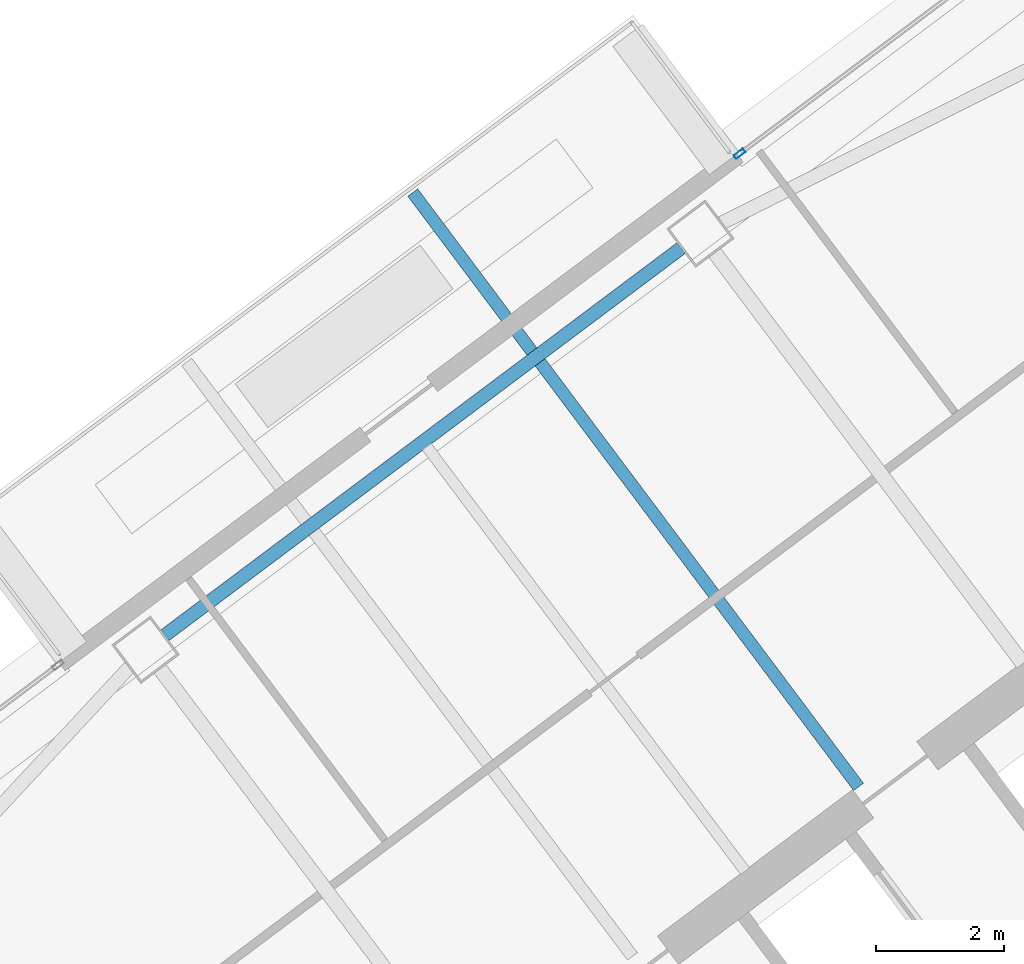
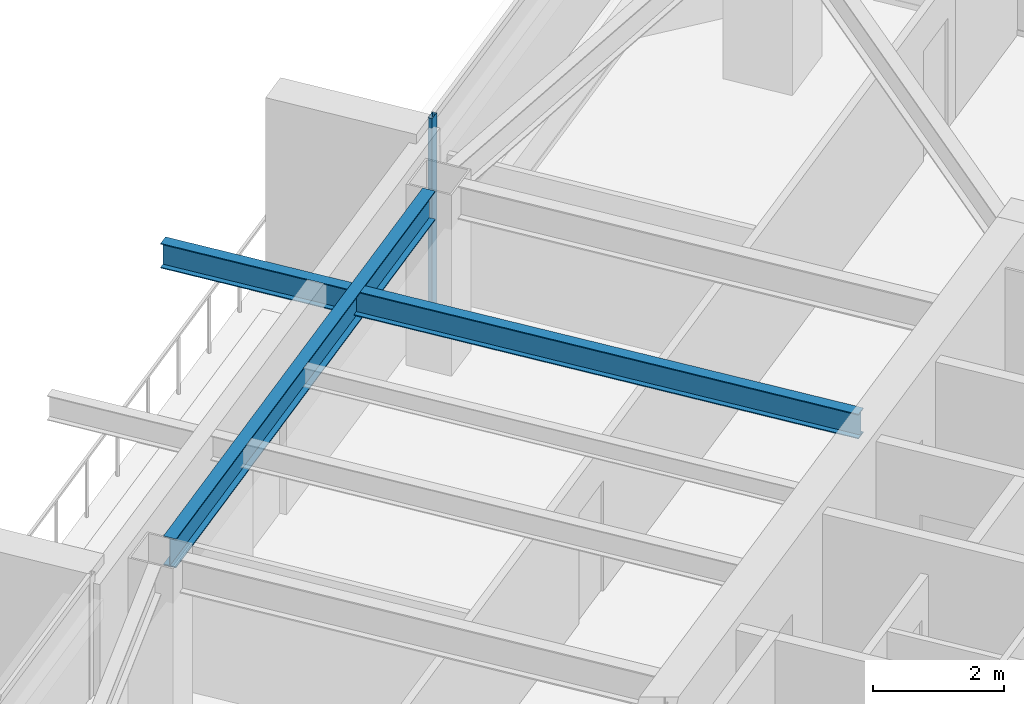
# One storey, part 27 of 43: 2 beams, 1 member, 1 element without a shape of its own.
"""IFC4 building model written with IfcOpenShell, lengths in metres."""

from ifc_helpers import new_model, si_unit, direction, frame, origin, origin_2d, place, context, subcontext, project, spatial, hollow_rectangle, i_section, extrude, material, material_profile, profile_set, type_object, element, aggregate, save


model = new_model("IFC4")

# Units and contexts
model_context = context("Model", 3, precision=1e-05, world=origin(), true_north=direction((0.0, 1.0)))
body_context = subcontext(model_context, "Body", "Model", "MODEL_VIEW")
ifc_project = project(units=[si_unit("LENGTHUNIT", "METRE"), si_unit("AREAUNIT", "SQUARE_METRE"), si_unit("VOLUMEUNIT", "CUBIC_METRE"), si_unit("PLANEANGLEUNIT", "RADIAN"), si_unit("MASSUNIT", "GRAM", prefix="KILO")], contexts=[model_context])

# Site, building, storey
site_placement = place(None, origin())
site = spatial("IfcSite", under=ifc_project, at=site_placement, CompositionType="ELEMENT")
building_placement = place(site_placement, origin())
building = spatial("IfcBuilding", under=site, at=building_placement, Name="Tashvorn Skyway Center", CompositionType="ELEMENT")
storey_placement = place(building_placement, frame((0.0, 0.0, 188.949951171875)))
storey = spatial("IfcBuildingStorey", under=building, at=storey_placement, Name="L51", CompositionType="ELEMENT", Elevation=188.949951171875)

# Beams
ifc_material_1 = material(Name="Steel ASTM A992 Grade 50", Category="steel")
ifc_material_profile_1 = material_profile(ifc_material_1, i_section(OverallWidth=0.19091796875, OverallDepth=0.4599609375, WebThickness=0.010009765625, FlangeThickness=0.01611328125, at=origin_2d()), Name="W18X55")
ifc_profile_set_1 = profile_set([ifc_material_profile_1], Name="Steel ASTM A992 Grade 50")
beam_type_1 = type_object("IfcBeamType", Name="BM-JOIST-W18X55", PredefinedType="JOIST", material=ifc_profile_set_1)
beam_1_placement = place(storey_placement, frame((111.092041015625, 39.5439453125, 3.14013671875), z_axis=(-0.600003376135, 0.799997467888, 0.0), x_axis=(-0.799997467888, -0.600003376135, 0.0)))
element("IfcBeam", 1, at=beam_1_placement, inside=storey, type_object=beam_type_1, Name="Tower 2 L52 Terrace Cantilever Outlooker 2", PredefinedType="JOIST", context=body_context, shape_type="SweptSolid", body=[
    extrude(i_section(OverallWidth=0.19091796875, OverallDepth=0.4599609375, WebThickness=0.010009765625, FlangeThickness=0.01611328125, at=origin_2d()), origin(), (0.0, 0.0, 1.0), 11.570068359375),
])
ifc_material_profile_2 = material_profile(ifc_material_1, i_section(OverallWidth=0.2109375, OverallDepth=0.5390625, WebThickness=0.01171875, FlangeThickness=0.018798828125, at=origin_2d()), Name="W21X73")
ifc_profile_set_2 = profile_set([ifc_material_profile_2], Name="Steel ASTM A992 Grade 50")
beam_type_2 = type_object("IfcBeamType", Name="BM-SPANDREL-W21X73", PredefinedType="SPANDREL", material=ifc_profile_set_2)
beam_2_placement = place(storey_placement, frame((108.333984375, 47.93798828125, 3.1005859375), z_axis=(-0.800008736549, -0.599988351091, 0.0), x_axis=(0.599988351091, -0.800008736549, 0.0)))
element("IfcBeam", 2, at=beam_2_placement, inside=storey, type_object=beam_type_2, Name="Tower 2 L51 Spandrel Beam 08", PredefinedType="SPANDREL", context=body_context, shape_type="SweptSolid", body=[
    extrude(i_section(OverallWidth=0.2109375, OverallDepth=0.5390625, WebThickness=0.01171875, FlangeThickness=0.018798828125, at=origin_2d()), origin(), (0.0, 0.0, 1.0), 10.06005859375),
])

# Curtain wall, member
ifc_material_2 = material(Name="Thermally broken bronze-anodized aluminium 6063-T6", Category="aluminium")
curtain_wall_type = type_object("IfcCurtainWallType", Name="CW-CW-Z4", PredefinedType="NOTDEFINED", material=ifc_material_2)
curtain_wall_placement = place(storey_placement, origin())
curtain_wall = element("IfcCurtainWall", 3, at=curtain_wall_placement, inside=storey, type_object=curtain_wall_type, Name="Tower 2 L51 North Curtain Wall R", PredefinedType="NOTDEFINED")
ifc_material_profile_3 = material_profile(ifc_material_2, hollow_rectangle(XDim=0.070068359375, YDim=0.179931640625, WallThickness=0.00390625, at=origin_2d()), Name="ALU-MULL-70x180")
ifc_profile_set_3 = profile_set([ifc_material_profile_3], Name="Thermally broken bronze-anodized aluminium 6063-T6")
member_type = type_object("IfcMemberType", Name="CWM-CW-Z4", PredefinedType="MULLION", material=ifc_profile_set_3)
member_placement = place(storey_placement, frame((109.239990234375, 49.405029296875, 0.0), z_axis=(0.0, 0.0, 1.0), x_axis=(-0.600000000002, 0.799999999998, 0.0)))
member = element("IfcMember", 4, at=member_placement, type_object=member_type, Name="CW-Z4 mullion 1", PredefinedType="MULLION", context=body_context, shape_type="SweptSolid", body=[
    extrude(hollow_rectangle(XDim=0.070068359375, YDim=0.179931640625, WallThickness=0.00390625, at=origin_2d()), origin(), (0.0, 0.0, 1.0), 3.550048828125),
])
aggregate(curtain_wall, [member])

save(model, "model.ifc")
